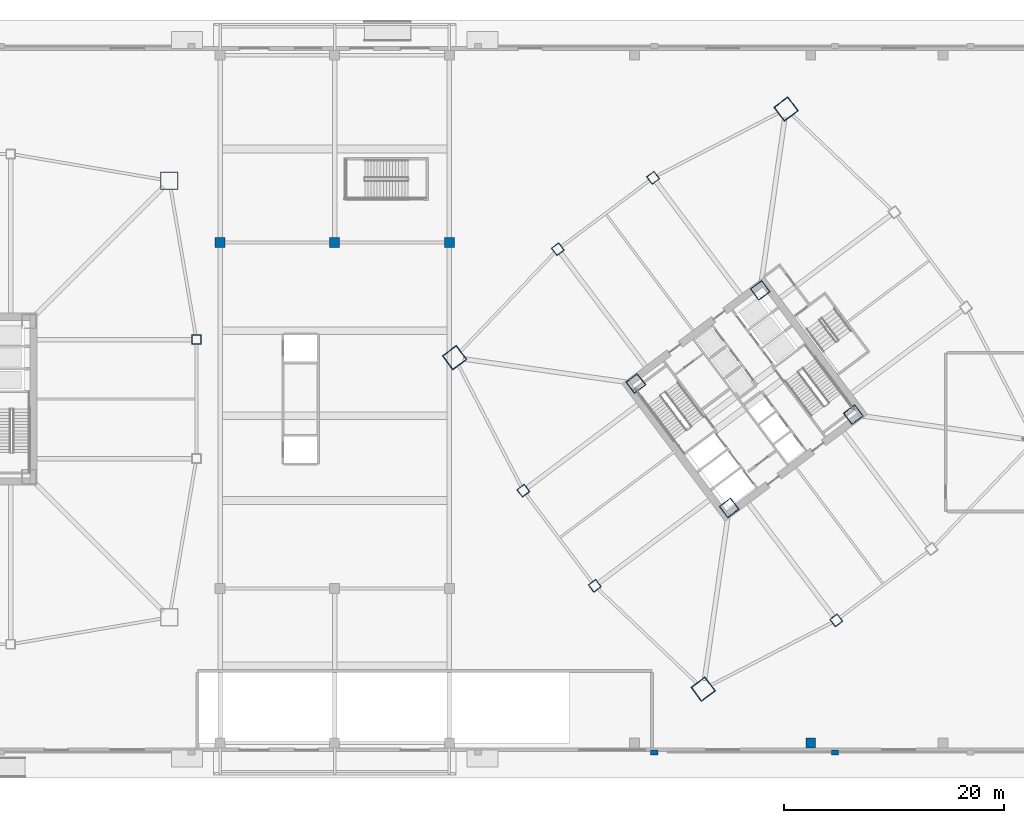
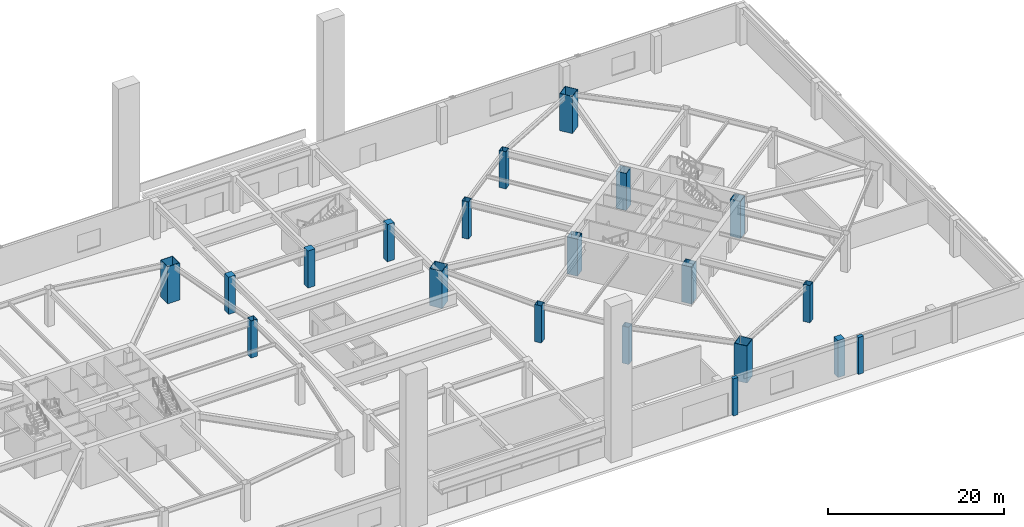
# One storey, part 2 of 26: 20 columns.
"""IFC4 building model written with IfcOpenShell, lengths in metres."""

from ifc_helpers import new_model, si_unit, direction, frame, origin, origin_2d, place, context, subcontext, project, spatial, rectangle, hollow_rectangle, extrude, material, material_profile, profile_set, type_object, element, save


model = new_model("IFC4")

# Units and contexts
model_context = context("Model", 3, precision=1e-05, world=origin(), true_north=direction((0.0, 1.0)))
body_context = subcontext(model_context, "Body", "Model", "MODEL_VIEW")
ifc_project = project(units=[si_unit("LENGTHUNIT", "METRE"), si_unit("AREAUNIT", "SQUARE_METRE"), si_unit("VOLUMEUNIT", "CUBIC_METRE"), si_unit("PLANEANGLEUNIT", "RADIAN"), si_unit("MASSUNIT", "GRAM", prefix="KILO")], contexts=[model_context])

# Site, building, storey
site_placement = place(None, origin())
site = spatial("IfcSite", under=ifc_project, at=site_placement, CompositionType="ELEMENT")
building_placement = place(site_placement, origin())
building = spatial("IfcBuilding", under=site, at=building_placement, Name="Tashvorn Skyway Center", CompositionType="ELEMENT")
storey_placement = place(building_placement, origin())
storey = spatial("IfcBuildingStorey", under=building, at=storey_placement, Name="L00", CompositionType="ELEMENT", Elevation=0.0)

# Columns
ifc_material_1 = material(Name="Steel ASTM A572 Grade 50", Category="steel")
ifc_material_profile_1 = material_profile(ifc_material_1, hollow_rectangle(XDim=1.300048828125, YDim=1.300048828125, WallThickness=0.050048828125, at=origin_2d()), Name="BOX1300x1300x50")
ifc_profile_set_1 = profile_set([ifc_material_profile_1], Name="Steel ASTM A572 Grade 50")
column_type_1 = type_object("IfcColumnType", Name="COL-BOX1300x1300x50", PredefinedType="COLUMN", material=ifc_profile_set_1)
for number, where, z_axis, x_axis, name in (
    (1, (112.590087890625, 22.1298828125, 0.0), (0.0, 0.0, 1.0), (0.799999996291, 0.600000004945, 0.0), "Tower 2 L00 Core Corner Column CC-SW"),
    (2, (123.8701171875, 30.590087890625, 0.0), (0.0, 0.0, 1.0), (0.799999996291, 0.600000004945, 0.0), "Tower 2 L00 Core Corner Column CC-SE"),
    (3, (115.409912109375, 41.8701171875, 0.0), (0.0, 0.0, 1.0), (0.799999996291, 0.600000004945, 0.0), "Tower 2 L00 Core Corner Column CC-NE"),
    (4, (104.1298828125, 33.409912109375, 0.0), (0.0, 0.0, 1.0), (0.799999996291, 0.600000004945, 0.0), "Tower 2 L00 Core Corner Column CC-NW"),
):
    element("IfcColumn", number, at=place(storey_placement, frame(where, z_axis=z_axis, x_axis=x_axis)), inside=storey, type_object=column_type_1, Name=name, PredefinedType="COLUMN", context=body_context, shape_type="SweptSolid", body=[
        extrude(hollow_rectangle(XDim=1.300048828125, YDim=1.300048828125, WallThickness=0.050048828125, at=origin_2d()), origin(), (0.0, 0.0, 1.0), 5.139892578125),
    ])
ifc_material_profile_2 = material_profile(ifc_material_1, hollow_rectangle(XDim=1.60009765625, YDim=1.60009765625, WallThickness=0.06005859375, at=origin_2d()), Name="BOX1600x1600x60")
ifc_profile_set_2 = profile_set([ifc_material_profile_2], Name="Steel ASTM A572 Grade 50")
column_type_2 = type_object("IfcColumnType", Name="COL-BOX1600x1600x60", PredefinedType="COLUMN", material=ifc_profile_set_2)
for number, where, z_axis, x_axis, name in (
    (5, (61.800048828125, 51.800048828125, 0.0), (0.0, 0.0, 1.0), (1.0, 0.0, 0.0), "Tower 1 L00 Mega-Column MC-NE"),
    (6, (110.239990234375, 5.679931640625, 0.0), (0.0, 0.0, 1.0), (0.799999996291, 0.600000004945, 0.0), "Tower 2 L00 Mega-Column MC-SW"),
    (7, (117.760009765625, 58.320068359375, 0.0), (0.0, 0.0, 1.0), (0.799999996291, 0.600000004945, 0.0), "Tower 2 L00 Mega-Column MC-NE"),
    (8, (87.679931640625, 35.760009765625, 0.0), (0.0, 0.0, 1.0), (0.799999996291, 0.600000004945, 0.0), "Tower 2 L00 Mega-Column MC-NW"),
):
    element("IfcColumn", number, at=place(storey_placement, frame(where, z_axis=z_axis, x_axis=x_axis)), inside=storey, type_object=column_type_2, Name=name, PredefinedType="COLUMN", context=body_context, shape_type="SweptSolid", body=[
        extrude(hollow_rectangle(XDim=1.60009765625, YDim=1.60009765625, WallThickness=0.06005859375, at=origin_2d()), origin(), (0.0, 0.0, 1.0), 5.139892578125),
    ])
ifc_material_profile_3 = material_profile(ifc_material_1, hollow_rectangle(XDim=0.85009765625, YDim=0.85009765625, WallThickness=0.034912109375, at=origin_2d()), Name="BOX850x850x35")
ifc_profile_set_3 = profile_set([ifc_material_profile_3], Name="Steel ASTM A572 Grade 50")
column_type_3 = type_object("IfcColumnType", Name="COL-BOX850x850x35", PredefinedType="COLUMN", material=ifc_profile_set_3)
for number, where, z_axis, x_axis, name in (
    (9, (64.25, 37.39990234375, 0.0), (0.0, 0.0, 1.0), (1.0, 0.0, 0.0), "Tower 1 L00 Perimeter Column FC-E2"),
    (10, (122.31005859375, 11.919921875, 0.0), (0.0, 0.0, 1.0), (0.799999996291, 0.600000004945, 0.0), "Tower 2 L00 Perimeter Column FC-S1"),
    (11, (105.68994140625, 52.080078125, 0.0), (0.0, 0.0, 1.0), (0.799999996291, 0.600000004945, 0.0), "Tower 2 L00 Perimeter Column FC-N1"),
    (12, (97.050048828125, 45.60009765625, 0.0), (0.0, 0.0, 1.0), (0.799999996291, 0.600000004945, 0.0), "Tower 2 L00 Perimeter Column FC-N2"),
    (13, (93.919921875, 23.68994140625, 0.0), (0.0, 0.0, 1.0), (0.799999996291, 0.600000004945, 0.0), "Tower 2 L00 Perimeter Column FC-W1"),
    (14, (100.39990234375, 15.050048828125, 0.0), (0.0, 0.0, 1.0), (0.799999996291, 0.600000004945, 0.0), "Tower 2 L00 Perimeter Column FC-W2"),
):
    element("IfcColumn", number, at=place(storey_placement, frame(where, z_axis=z_axis, x_axis=x_axis)), inside=storey, type_object=column_type_3, Name=name, PredefinedType="COLUMN", context=body_context, shape_type="SweptSolid", body=[
        extrude(hollow_rectangle(XDim=0.85009765625, YDim=0.85009765625, WallThickness=0.034912109375, at=origin_2d()), origin(), (0.0, 0.0, 1.0), 5.139892578125),
    ])
ifc_material_2 = material(Name="Concrete C50/60", Category="concrete")
ifc_material_profile_4 = material_profile(ifc_material_2, rectangle(XDim=0.89990234375, YDim=0.89990234375, at=origin_2d()), Name="RC900x900")
ifc_profile_set_4 = profile_set([ifc_material_profile_4], Name="Concrete C50/60")
column_type_4 = type_object("IfcColumnType", Name="COL-RC900x900", PredefinedType="COLUMN", material=ifc_profile_set_4)
for number, where, z_axis, x_axis, name in (
    (15, (120.0, 0.800048828125, 0.0), (0.0, 0.0, 1.0), (1.0, 0.0, 0.0), "L00 Podium Column PC-08-1"),
    (16, (66.39990234375, 46.199951171875, 0.0), (0.0, 0.0, 1.0), (1.0, 0.0, 0.0), "L00 Podium Column PIC-03-2"),
    (17, (76.800048828125, 46.199951171875, 0.0), (0.0, 0.0, 1.0), (1.0, 0.0, 0.0), "L00 Podium Column PIC-04-2"),
    (18, (87.199951171875, 46.199951171875, 0.0), (0.0, 0.0, 1.0), (1.0, 0.0, 0.0), "L00 Podium Column PIC-05-2"),
):
    element("IfcColumn", number, at=place(storey_placement, frame(where, z_axis=z_axis, x_axis=x_axis)), inside=storey, type_object=column_type_4, Name=name, PredefinedType="COLUMN", context=body_context, shape_type="SweptSolid", body=[
        extrude(rectangle(XDim=0.89990234375, YDim=0.89990234375, at=origin_2d()), origin(), (0.0, 0.0, 1.0), 5.139892578125),
    ])
ifc_material_3 = material(Name="Precast concrete C40/50", Category="concrete")
ifc_material_profile_5 = material_profile(ifc_material_3, rectangle(XDim=0.64990234375, YDim=0.449951171875, at=origin_2d()), Name="RCPIL650x450")
ifc_profile_set_5 = profile_set([ifc_material_profile_5], Name="Precast concrete C40/50")
column_type_5 = type_object("IfcColumnType", Name="PIL-RCPIL650x450", PredefinedType="PILASTER", material=ifc_profile_set_5)
for number, where, z_axis, x_axis, name in (
    (19, (105.800048828125, -0.050048828125, 0.0), (0.0, 0.0, 1.0), (1.0, 0.0, 0.0), "L00 South Terracotta Colonnade Pilaster 7"),
    (20, (122.199951171875, -0.050048828125, 0.0), (0.0, 0.0, 1.0), (1.0, 0.0, 0.0), "L00 South Terracotta Colonnade Pilaster 8"),
):
    element("IfcColumn", number, at=place(storey_placement, frame(where, z_axis=z_axis, x_axis=x_axis)), inside=storey, type_object=column_type_5, Name=name, PredefinedType="PILASTER", context=body_context, shape_type="SweptSolid", body=[
        extrude(rectangle(XDim=0.64990234375, YDim=0.449951171875, at=origin_2d()), origin(), (0.0, 0.0, 1.0), 5.139892578125),
    ])

save(model, "model.ifc")
